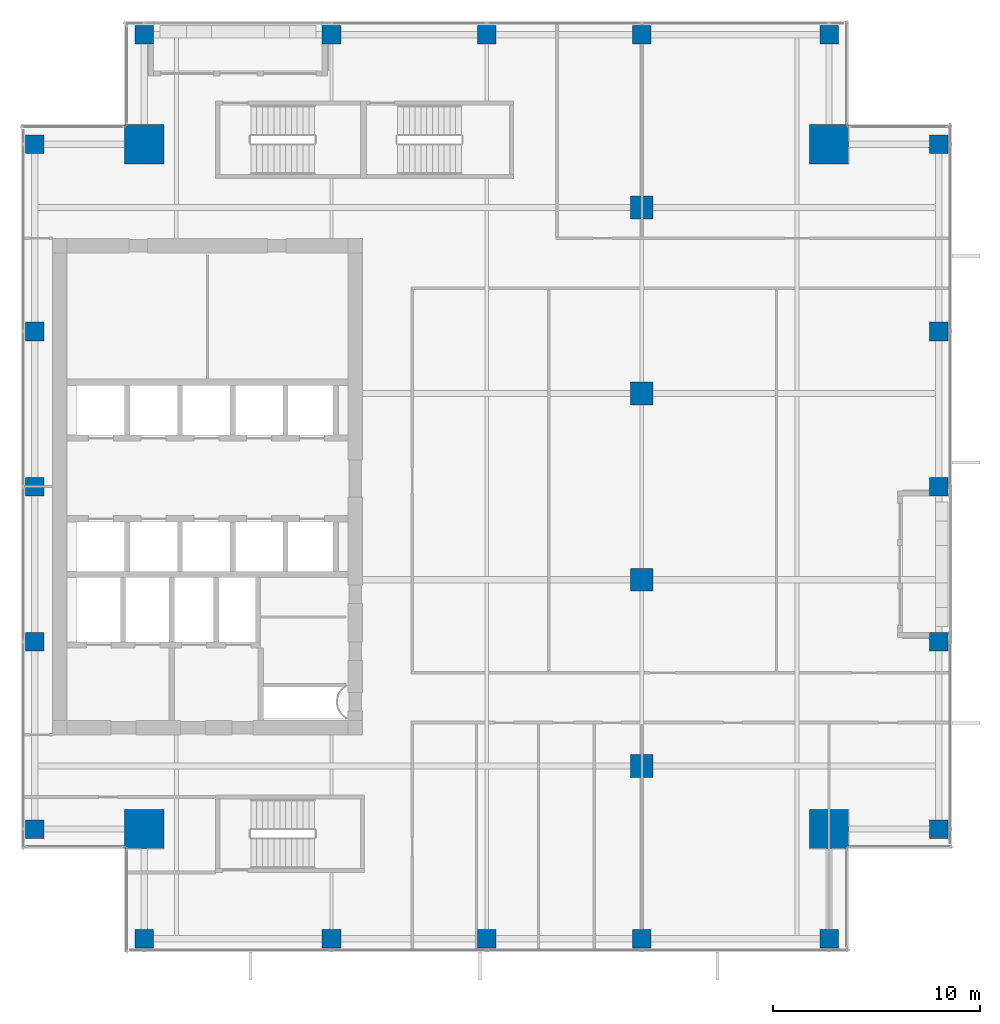
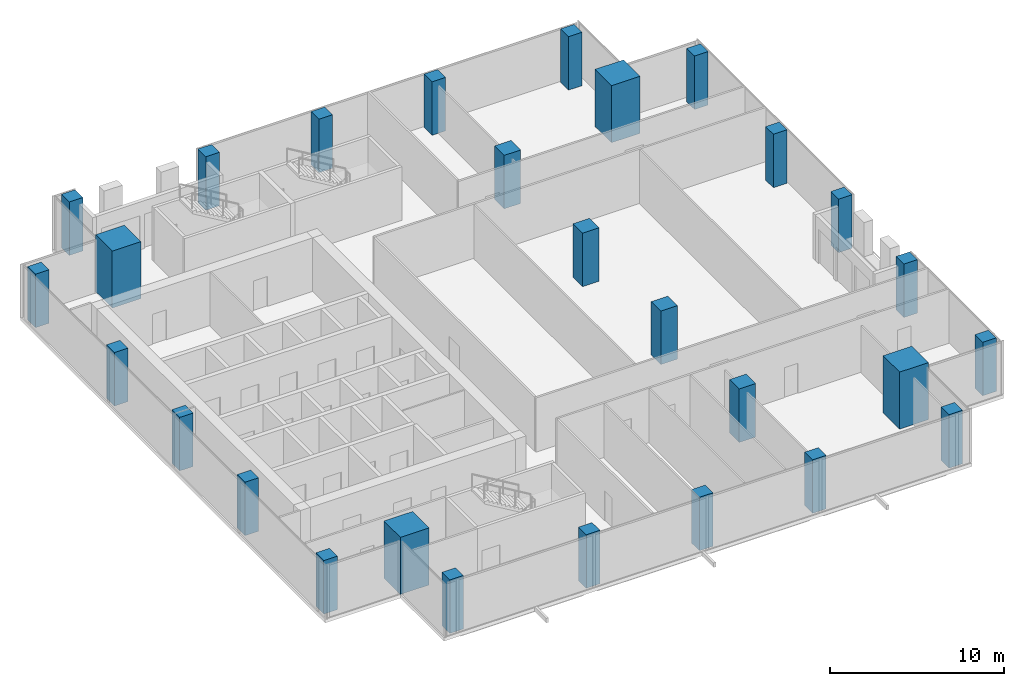
# One storey, part 1 of 36: 28 columns.
"""IFC4 building model written with IfcOpenShell, lengths in metres."""

from ifc_helpers import new_model, si_unit, direction, frame, origin, origin_2d, place, context, subcontext, project, spatial, rectangle, extrude, source, transform, mapped, material, material_profile, profile_set, type_object, element, save


model = new_model("IFC4")

# Units and contexts
model_context = context("Model", 3, precision=1e-05, world=origin(), true_north=direction((0.0, 1.0)))
body_context = subcontext(model_context, "Body", "Model", "MODEL_VIEW")
ifc_project = project(units=[si_unit("LENGTHUNIT", "METRE"), si_unit("AREAUNIT", "SQUARE_METRE"), si_unit("VOLUMEUNIT", "CUBIC_METRE"), si_unit("PLANEANGLEUNIT", "RADIAN"), si_unit("MASSUNIT", "GRAM", prefix="KILO")], contexts=[model_context])

# Site, building, storey
site_placement = place(None, origin())
site = spatial("IfcSite", under=ifc_project, at=site_placement, CompositionType="ELEMENT")
building_placement = place(site_placement, origin())
building = spatial("IfcBuilding", under=site, at=building_placement, Name="Khomas Fold Tower", CompositionType="ELEMENT")
storey_placement = place(building_placement, frame((0.0, 0.0, 230.199951171875)))
storey = spatial("IfcBuildingStorey", under=building, at=storey_placement, Name="L51", CompositionType="ELEMENT", Elevation=230.199951171875)

# Columns
ifc_material_1 = material(Name="Concrete C60/75", Category="concrete")
ifc_material_profile_1 = material_profile(ifc_material_1, rectangle(XDim=1.89990234375, YDim=1.89990234375, at=origin_2d()), Name="RC 1900x1900")
ifc_profile_set_1 = profile_set([ifc_material_profile_1], Name="Concrete C60/75")
column_type_1 = type_object("IfcColumnType", Name="RC 1900x1900 column", PredefinedType="COLUMN", material=ifc_profile_set_1)
shared_shape_1 = source(origin(), body_context, "Body", "SweptSolid", [
    extrude(rectangle(XDim=1.89990234375, YDim=1.89990234375, at=origin_2d()), origin(), (0.0, 0.0, 1.0), 4.0),
])
for number, where, z_axis, x_axis, name in (
    (1, (43.550048828125, 43.550048828125, 0.0), (0.0, 0.0, 1.0), (1.0, 0.0, 0.0), "CM-NE"),
    (2, (10.449951171875, 43.550048828125, 0.0), (0.0, 0.0, 1.0), (1.0, 0.0, 0.0), "CM-NW"),
    (3, (43.550048828125, 10.449951171875, 0.0), (0.0, 0.0, 1.0), (1.0, 0.0, 0.0), "CM-SE"),
    (4, (10.449951171875, 10.449951171875, 0.0), (0.0, 0.0, 1.0), (1.0, 0.0, 0.0), "CM-SW"),
):
    element("IfcColumn", number, at=place(storey_placement, frame(where, z_axis=z_axis, x_axis=x_axis)), inside=storey, type_object=column_type_1, Name=name, PredefinedType="COLUMN", context=body_context, shape_type="MappedRepresentation", body=[
        mapped(shared_shape_1, transform((0.0, 0.0, 0.0))),
    ])
ifc_material_2 = material(Name="Concrete C50/60", Category="concrete")
ifc_material_profile_2 = material_profile(ifc_material_2, rectangle(XDim=0.89990234375, YDim=0.89990234375, at=origin_2d()), Name="RC 900x900")
ifc_profile_set_2 = profile_set([ifc_material_profile_2], Name="Concrete C50/60")
column_type_2 = type_object("IfcColumnType", Name="RC 900x900 column", PredefinedType="COLUMN", material=ifc_profile_set_2)
shared_shape_2 = source(origin(), body_context, "Body", "SweptSolid", [
    extrude(rectangle(XDim=0.89990234375, YDim=0.89990234375, at=origin_2d()), origin(), (0.0, 0.0, 1.0), 3.75),
])
for number, where, z_axis, x_axis, name in (
    (5, (10.449951171875, 5.14990234375, 0.0), (0.0, 0.0, 1.0), (1.0, 0.0, 0.0), "C-5-SF4"),
    (6, (19.5, 5.14990234375, 0.0), (0.0, 0.0, 1.0), (1.0, 0.0, 0.0), "C-8-SF4"),
    (7, (27.0, 5.14990234375, 0.0), (0.0, 0.0, 1.0), (1.0, 0.0, 0.0), "C-9-SF4"),
    (8, (34.5, 5.14990234375, 0.0), (0.0, 0.0, 1.0), (1.0, 0.0, 0.0), "C-10-SF4"),
    (9, (43.550048828125, 5.14990234375, 0.0), (0.0, 0.0, 1.0), (1.0, 0.0, 0.0), "C-14-SF4"),
    (10, (48.85009765625, 10.449951171875, 0.0), (0.0, 0.0, 1.0), (1.0, 0.0, 0.0), "C-E4-E"),
    (11, (48.85009765625, 19.5, 0.0), (0.0, 0.0, 1.0), (1.0, 0.0, 0.0), "C-E4-J"),
    (12, (48.85009765625, 27.0, 0.0), (0.0, 0.0, 1.0), (1.0, 0.0, 0.0), "C-E4-L"),
    (13, (48.85009765625, 34.5, 0.0), (0.0, 0.0, 1.0), (1.0, 0.0, 0.0), "C-E4-N"),
    (14, (48.85009765625, 43.550048828125, 0.0), (0.0, 0.0, 1.0), (1.0, 0.0, 0.0), "C-E4-S"),
    (15, (10.449951171875, 48.85009765625, 0.0), (0.0, 0.0, 1.0), (1.0, 0.0, 0.0), "C-5-NF4"),
    (16, (19.5, 48.85009765625, 0.0), (0.0, 0.0, 1.0), (1.0, 0.0, 0.0), "C-8-NF4"),
    (17, (27.0, 48.85009765625, 0.0), (0.0, 0.0, 1.0), (1.0, 0.0, 0.0), "C-9-NF4"),
    (18, (34.5, 48.85009765625, 0.0), (0.0, 0.0, 1.0), (1.0, 0.0, 0.0), "C-10-NF4"),
    (19, (43.550048828125, 48.85009765625, 0.0), (0.0, 0.0, 1.0), (1.0, 0.0, 0.0), "C-14-NF4"),
    (20, (5.14990234375, 10.449951171875, 0.0), (0.0, 0.0, 1.0), (1.0, 0.0, 0.0), "C-W4-E"),
    (21, (5.14990234375, 19.5, 0.0), (0.0, 0.0, 1.0), (1.0, 0.0, 0.0), "C-W4-J"),
    (22, (5.14990234375, 27.0, 0.0), (0.0, 0.0, 1.0), (1.0, 0.0, 0.0), "C-W4-L"),
    (23, (5.14990234375, 34.5, 0.0), (0.0, 0.0, 1.0), (1.0, 0.0, 0.0), "C-W4-N"),
    (24, (5.14990234375, 43.550048828125, 0.0), (0.0, 0.0, 1.0), (1.0, 0.0, 0.0), "C-W4-S"),
):
    element("IfcColumn", number, at=place(storey_placement, frame(where, z_axis=z_axis, x_axis=x_axis)), inside=storey, type_object=column_type_2, Name=name, PredefinedType="COLUMN", context=body_context, shape_type="MappedRepresentation", body=[
        mapped(shared_shape_2, transform((0.0, 0.0, 0.0))),
    ])
ifc_material_3 = material(Name="Concrete C50/60", Category="concrete")
ifc_material_profile_3 = material_profile(ifc_material_3, rectangle(XDim=1.10009765625, YDim=1.10009765625, at=origin_2d()), Name="RC 1100x1100")
ifc_profile_set_3 = profile_set([ifc_material_profile_3], Name="Concrete C50/60")
column_type_3 = type_object("IfcColumnType", Name="RC 1100x1100 column", PredefinedType="COLUMN", material=ifc_profile_set_3)
shared_shape_3 = source(origin(), body_context, "Body", "SweptSolid", [
    extrude(rectangle(XDim=1.10009765625, YDim=1.10009765625, at=origin_2d()), origin(), (0.0, 0.0, 1.0), 3.75),
])
for number, where, z_axis, x_axis, name in (
    (25, (34.5, 13.5, 0.0), (0.0, 0.0, 1.0), (1.0, 0.0, 0.0), "C-10-H"),
    (26, (34.5, 22.5, 0.0), (0.0, 0.0, 1.0), (1.0, 0.0, 0.0), "C-10-K"),
    (27, (34.5, 31.5, 0.0), (0.0, 0.0, 1.0), (1.0, 0.0, 0.0), "C-10-M"),
    (28, (34.5, 40.5, 0.0), (0.0, 0.0, 1.0), (1.0, 0.0, 0.0), "C-10-P"),
):
    element("IfcColumn", number, at=place(storey_placement, frame(where, z_axis=z_axis, x_axis=x_axis)), inside=storey, type_object=column_type_3, Name=name, PredefinedType="COLUMN", context=body_context, shape_type="MappedRepresentation", body=[
        mapped(shared_shape_3, transform((0.0, 0.0, 0.0))),
    ])

save(model, "model.ifc")
